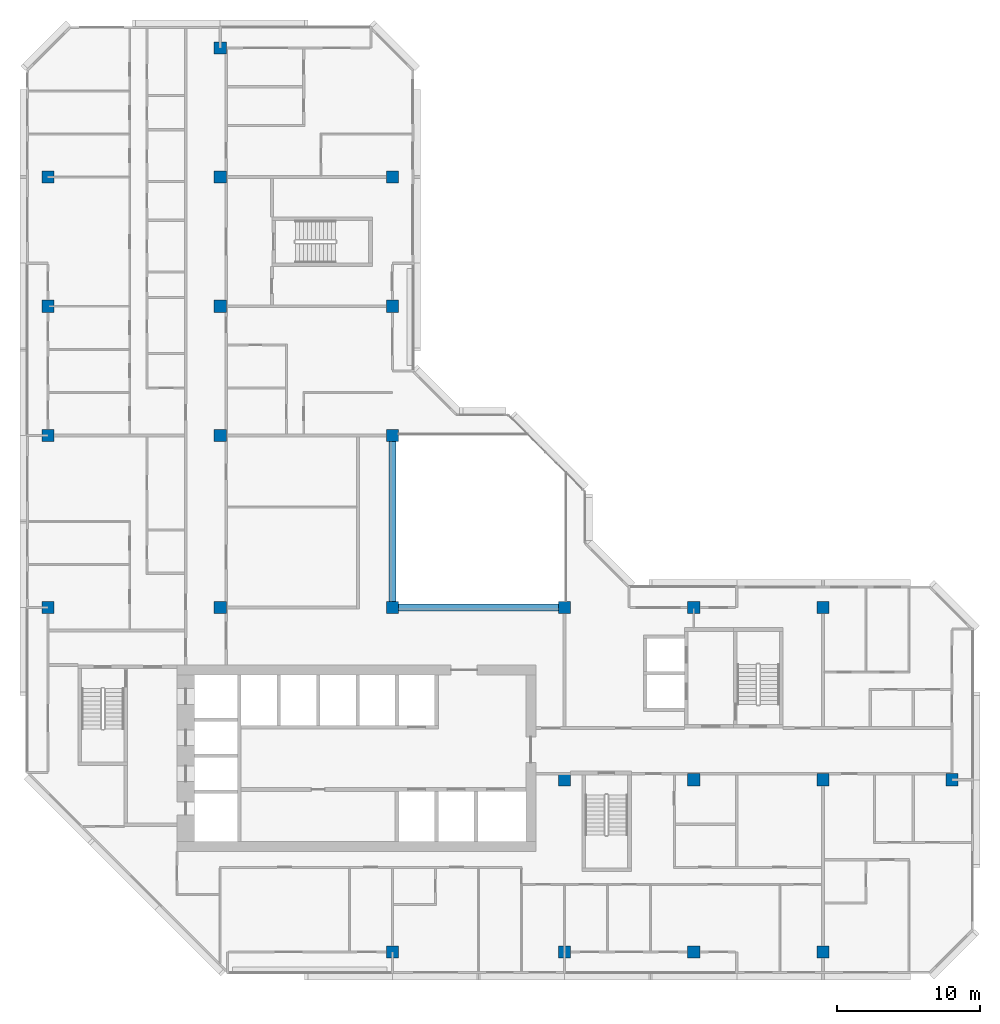
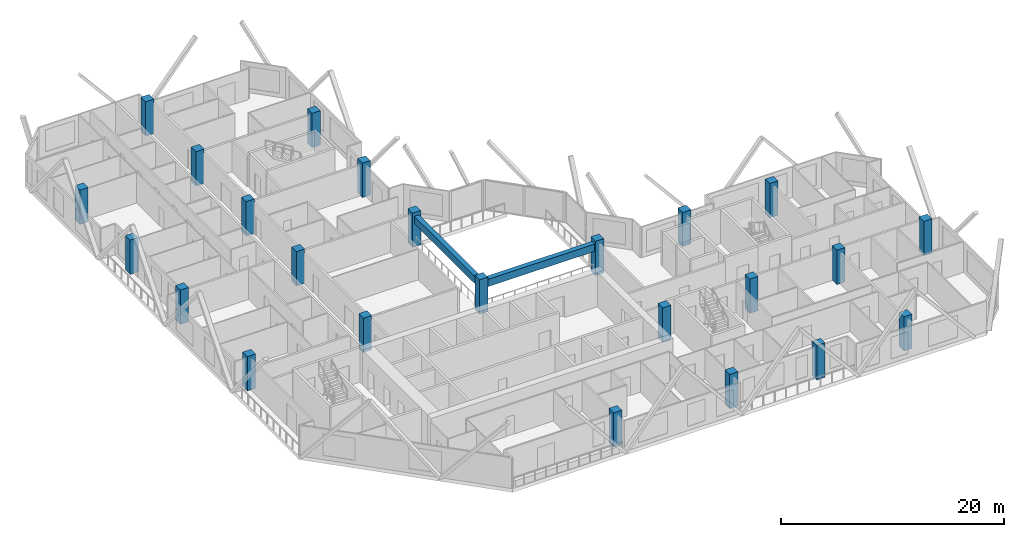
# One storey, part 1 of 14: 24 columns, 2 beams.
"""IFC4 building model written with IfcOpenShell, lengths in metres."""

from ifc_helpers import new_model, si_unit, direction, frame, origin, origin_2d, place, context, subcontext, project, spatial, rectangle, extrude, material, material_profile, profile_set, type_object, element, save


model = new_model("IFC4")

# Units and contexts
model_context = context("Model", 3, precision=1e-05, world=origin(), true_north=direction((0.0, 1.0)))
body_context = subcontext(model_context, "Body", "Model", "MODEL_VIEW")
ifc_project = project(units=[si_unit("LENGTHUNIT", "METRE"), si_unit("AREAUNIT", "SQUARE_METRE"), si_unit("VOLUMEUNIT", "CUBIC_METRE"), si_unit("PLANEANGLEUNIT", "RADIAN"), si_unit("MASSUNIT", "GRAM", prefix="KILO")], contexts=[model_context])

# Site, building, storey
site_placement = place(None, origin())
site = spatial("IfcSite", under=ifc_project, at=site_placement, CompositionType="ELEMENT")
building_placement = place(site_placement, origin())
building = spatial("IfcBuilding", under=site, at=building_placement, Name="Chenar Terraces", CompositionType="ELEMENT")
storey_placement = place(building_placement, frame((0.0, 0.0, 226.64990234375)))
storey = spatial("IfcBuildingStorey", under=building, at=storey_placement, Name="L53", CompositionType="ELEMENT", Elevation=226.64990234375)

# Columns
ifc_material_1 = material(Name="Concrete C60/75", Category="concrete")
ifc_material_profile_1 = material_profile(ifc_material_1, rectangle(XDim=0.85009765625, YDim=0.85009765625, at=origin_2d()), Name="C 850 x 850")
ifc_profile_set_1 = profile_set([ifc_material_profile_1], Name="Concrete C60/75")
column_type = type_object("IfcColumnType", Name="Column C 850 x 850 Concrete C60/75", PredefinedType="COLUMN", material=ifc_profile_set_1)
column_1_placement = place(storey_placement, frame((0.0, 24.0, 0.0), z_axis=(0.0, 0.0, 1.0), x_axis=(1.0, 0.0, 0.0)))
element("IfcColumn", 1, at=column_1_placement, inside=storey, type_object=column_type, Name="Column 5/G L53", PredefinedType="COLUMN", context=body_context, shape_type="SweptSolid", body=[
    extrude(rectangle(XDim=0.85009765625, YDim=0.85009765625, at=origin_2d()), origin(), (0.0, 0.0, 1.0), 3.75),
])
column_2_placement = place(storey_placement, frame((0.0, 36.0, 0.0), z_axis=(0.0, 0.0, 1.0), x_axis=(1.0, 0.0, 0.0)))
element("IfcColumn", 2, at=column_2_placement, inside=storey, type_object=column_type, Name="Column 5/H L53", PredefinedType="COLUMN", context=body_context, shape_type="SweptSolid", body=[
    extrude(rectangle(XDim=0.85009765625, YDim=0.85009765625, at=origin_2d()), origin(), (0.0, 0.0, 1.0), 3.75),
])
column_3_placement = place(storey_placement, frame((0.0, 45.0, 0.0), z_axis=(0.0, 0.0, 1.0), x_axis=(1.0, 0.0, 0.0)))
element("IfcColumn", 3, at=column_3_placement, inside=storey, type_object=column_type, Name="Column 5/J L53", PredefinedType="COLUMN", context=body_context, shape_type="SweptSolid", body=[
    extrude(rectangle(XDim=0.85009765625, YDim=0.85009765625, at=origin_2d()), origin(), (0.0, 0.0, 1.0), 3.75),
])
column_4_placement = place(storey_placement, frame((0.0, 54.0, 0.0), z_axis=(0.0, 0.0, 1.0), x_axis=(1.0, 0.0, 0.0)))
element("IfcColumn", 4, at=column_4_placement, inside=storey, type_object=column_type, Name="Column 5/K L53", PredefinedType="COLUMN", context=body_context, shape_type="SweptSolid", body=[
    extrude(rectangle(XDim=0.85009765625, YDim=0.85009765625, at=origin_2d()), origin(), (0.0, 0.0, 1.0), 3.75),
])
for number, where, z_axis, x_axis, name in (
    (5, (12.0, 24.0, 0.0), (0.0, 0.0, 1.0), (1.0, 0.0, 0.0), "Column 6/G L53"),
    (6, (12.0, 36.0, 0.0), (0.0, 0.0, 1.0), (1.0, 0.0, 0.0), "Column 6/H L53"),
    (7, (12.0, 45.0, 0.0), (0.0, 0.0, 1.0), (1.0, 0.0, 0.0), "Column 6/J L53"),
    (8, (12.0, 54.0, 0.0), (0.0, 0.0, 1.0), (1.0, 0.0, 0.0), "Column 6/K L53"),
    (9, (12.0, 63.0, 0.0), (0.0, 0.0, 1.0), (1.0, 0.0, 0.0), "Column 6/L L53"),
    (10, (24.0, 0.0, 0.0), (0.0, 0.0, 1.0), (1.0, 0.0, 0.0), "Column 7/E L53"),
    (11, (24.0, 24.0, 0.0), (0.0, 0.0, 1.0), (1.0, 0.0, 0.0), "Column 7/G L53"),
    (12, (24.0, 36.0, 0.0), (0.0, 0.0, 1.0), (1.0, 0.0, 0.0), "Column 7/H L53"),
    (13, (24.0, 45.0, 0.0), (0.0, 0.0, 1.0), (1.0, 0.0, 0.0), "Column 7/J L53"),
    (14, (24.0, 54.0, 0.0), (0.0, 0.0, 1.0), (1.0, 0.0, 0.0), "Column 7/K L53"),
    (15, (36.0, 0.0, 0.0), (0.0, 0.0, 1.0), (1.0, 0.0, 0.0), "Column 8/E L53"),
    (16, (36.0, 12.0, 0.0), (0.0, 0.0, 1.0), (1.0, 0.0, 0.0), "Column 8/F L53"),
    (17, (36.0, 24.0, 0.0), (0.0, 0.0, 1.0), (1.0, 0.0, 0.0), "Column 8/G L53"),
    (18, (45.0, 0.0, 0.0), (0.0, 0.0, 1.0), (1.0, 0.0, 0.0), "Column 9/E L53"),
    (19, (45.0, 12.0, 0.0), (0.0, 0.0, 1.0), (1.0, 0.0, 0.0), "Column 9/F L53"),
    (20, (45.0, 24.0, 0.0), (0.0, 0.0, 1.0), (1.0, 0.0, 0.0), "Column 9/G L53"),
    (21, (54.0, 0.0, 0.0), (0.0, 0.0, 1.0), (1.0, 0.0, 0.0), "Column 10/E L53"),
    (22, (54.0, 12.0, 0.0), (0.0, 0.0, 1.0), (1.0, 0.0, 0.0), "Column 10/F L53"),
    (23, (54.0, 24.0, 0.0), (0.0, 0.0, 1.0), (1.0, 0.0, 0.0), "Column 10/G L53"),
    (24, (63.0, 12.0, 0.0), (0.0, 0.0, 1.0), (1.0, 0.0, 0.0), "Column 11/F L53"),
):
    element("IfcColumn", number, at=place(storey_placement, frame(where, z_axis=z_axis, x_axis=x_axis)), inside=storey, type_object=column_type, Name=name, PredefinedType="COLUMN", context=body_context, shape_type="SweptSolid", body=[
        extrude(rectangle(XDim=0.85009765625, YDim=0.85009765625, at=origin_2d()), origin(), (0.0, 0.0, 1.0), 3.75),
    ])

# Beams
ifc_material_2 = material(Name="Concrete C40/50", Category="concrete")
ifc_material_profile_2 = material_profile(ifc_material_2, rectangle(XDim=0.5, YDim=0.800048828125, at=origin_2d()), Name="RC 500 x 800")
ifc_profile_set_2 = profile_set([ifc_material_profile_2], Name="Concrete C40/50")
beam_type = type_object("IfcBeamType", Name="Atrium edge beam 500 x 800 Concrete C40/50", PredefinedType="BEAM", material=ifc_profile_set_2)
for number, where, z_axis, x_axis, name in (
    (25, (24.425048828125, 24.0, 2.9501953125), (1.0, 0.0, 0.0), (0.0, 1.0, 0.0), "Atrium edge beam L54 1"),
    (26, (24.0, 35.574951171875, 2.9501953125), (0.0, -1.0, 0.0), (1.0, 0.0, 0.0), "Atrium edge beam L54 4"),
):
    element("IfcBeam", number, at=place(storey_placement, frame(where, z_axis=z_axis, x_axis=x_axis)), inside=storey, type_object=beam_type, Name=name, PredefinedType="BEAM", context=body_context, shape_type="SweptSolid", body=[
        extrude(rectangle(XDim=0.5, YDim=0.800048828125, at=origin_2d()), origin(), (0.0, 0.0, 1.0), 11.14990234375),
    ])

save(model, "model.ifc")
